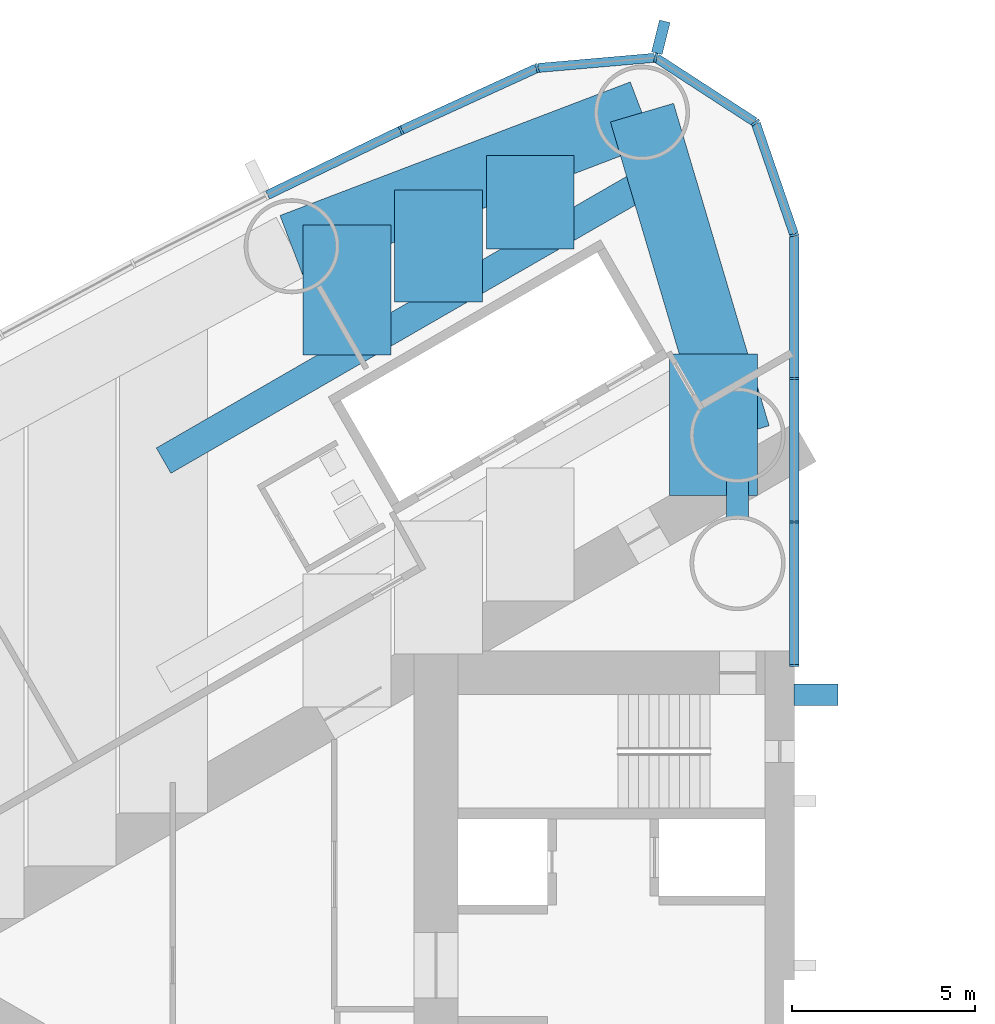
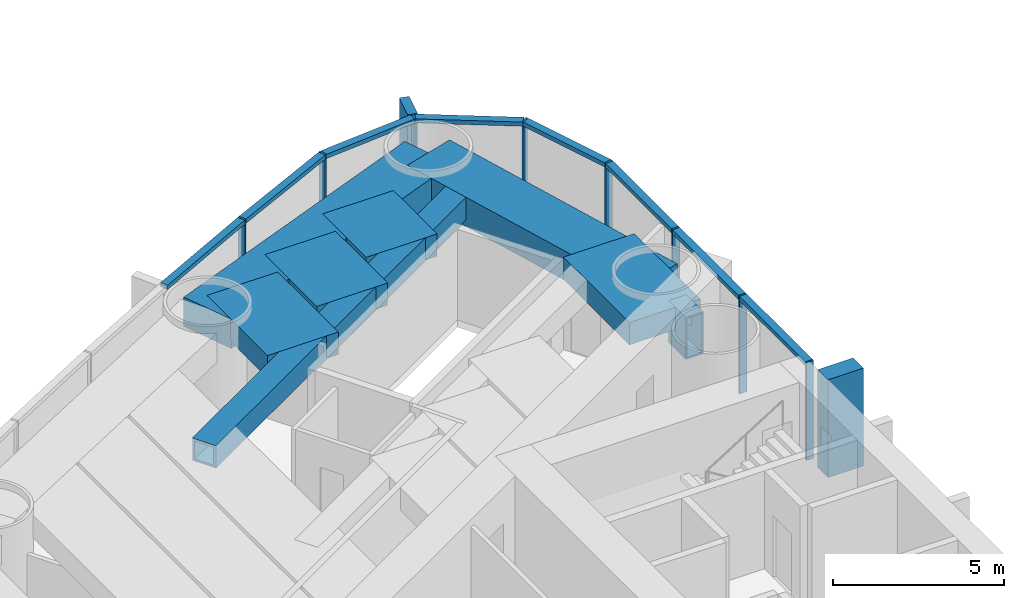
# One storey, part 5 of 19: 18 members, 8 beams, 1 element without a shape of its own.
"""IFC4 building model written with IfcOpenShell, lengths in metres."""

import ifcopenshell
import ifcopenshell.guid

model = None  # the IFC model being written
_history = None  # IfcOwnerHistory: only IFC2X3 demands one
_inside = {}  # id of a spatial element -> (the spatial element, [elements in it])
_under = {}  # id of a project, library or spatial element -> (it, [spatial elements below it])
_declared = {}  # id of a project -> (the project, [libraries it declares])
_typed = {}  # id of a type object -> (the type object, [elements of that type])
_made_of = {}  # id of a material, layer set ... -> (it, [elements and type objects made of it])


def new_model(schema):
    """Start an empty IFC model of exactly this schema.

    Asked for "IFC4X3", IfcOpenShell would pick the latest addendum, in which some entities
    have other attributes; the version numbers below select the first issue.
    IFC2X3 requires an IfcOwnerHistory on every rooted entity: one is made here for all.
    """
    global model, _history
    if schema == "IFC4X3":
        model = ifcopenshell.file(schema_version=(4, 3, 0, 0))
    else:
        model = ifcopenshell.file(schema=schema)
    _inside.clear()
    _under.clear()
    _declared.clear()
    _typed.clear()
    _made_of.clear()
    _history = None
    if model.schema == "IFC2X3":
        org = make("IfcOrganization", Name="unknown")
        user = make(
            "IfcPersonAndOrganization",
            ThePerson=make("IfcPerson", FamilyName="unknown"),
            TheOrganization=org,
        )
        app = make(
            "IfcApplication",
            ApplicationDeveloper=org,
            Version="unknown",
            ApplicationFullName="unknown",
            ApplicationIdentifier="unknown",
        )
        _history = make(
            "IfcOwnerHistory",
            OwningUser=user,
            OwningApplication=app,
            ChangeAction="ADDED",
            CreationDate=0,
        )
    return model


def make(cls, **values):
    """One entity of the class cls with the attributes given. An attribute that is None is left unset."""
    return model.create_entity(
        cls, **{name: value for name, value in values.items() if value is not None}
    )


def rooted(cls, **values):
    """An entity with a GlobalId (a new one), such as an element, a storey or a relation."""
    return make(cls, GlobalId=ifcopenshell.guid.new(), OwnerHistory=_history, **values)


def si_unit(unit_type, name, prefix=None):
    """IfcSIUnit, for example si_unit("LENGTHUNIT", "METRE", prefix="MILLI")."""
    return make("IfcSIUnit", UnitType=unit_type, Prefix=prefix, Name=name)


def assignment(units):
    """IfcUnitAssignment: the units of a project."""
    return None if units is None else make("IfcUnitAssignment", Units=units)


def point(xyz):
    """IfcCartesianPoint."""
    return None if xyz is None else make("IfcCartesianPoint", Coordinates=xyz)


def direction(xyz):
    """IfcDirection."""
    return None if xyz is None else make("IfcDirection", DirectionRatios=xyz)


def frame(location, z_axis=None, x_axis=None):
    """IfcAxis2Placement3D, a coordinate frame: its origin and axes. An axis left out is left unset."""
    return make(
        "IfcAxis2Placement3D",
        Location=point(location),
        Axis=direction(z_axis),
        RefDirection=direction(x_axis),
    )


def frame_2d(location, x_axis=None):
    """IfcAxis2Placement2D, a coordinate frame in the plane: its origin and x axis."""
    return make(
        "IfcAxis2Placement2D", Location=point(location), RefDirection=direction(x_axis)
    )


def origin():
    """The frame at (0, 0, 0) with its axes left unset."""
    return frame((0.0, 0.0, 0.0))


def origin_2d():
    """The frame at (0, 0) in the plane with its x axis left unset."""
    return frame_2d((0.0, 0.0))


def place(relative_to, where):
    """IfcLocalPlacement: puts the frame where relative to a parent placement (None: the world)."""
    return make(
        "IfcLocalPlacement", PlacementRelTo=relative_to, RelativePlacement=where
    )


def context(
    kind, dimensions, precision=None, world=None, true_north=None, identifier=None
):
    """IfcGeometricRepresentationContext, for example the 3D "Model" context."""
    return make(
        "IfcGeometricRepresentationContext",
        ContextIdentifier=identifier,
        ContextType=kind,
        CoordinateSpaceDimension=dimensions,
        Precision=precision,
        WorldCoordinateSystem=world,
        TrueNorth=true_north,
    )


def subcontext(parent, identifier, kind, view, scale=None):
    """IfcGeometricRepresentationSubContext, for example "Body" below "Model"."""
    return make(
        "IfcGeometricRepresentationSubContext",
        ContextIdentifier=identifier,
        ContextType=kind,
        ParentContext=parent,
        TargetScale=scale,
        TargetView=view,
    )


def project(units=None, contexts=None):
    """IfcProject with its units and contexts."""
    return rooted(
        "IfcProject",
        Name="project",
        RepresentationContexts=contexts,
        UnitsInContext=assignment(units),
    )


def spatial(cls, under=None, at=None, **own):
    """A site, building, storey or space (cls), placed at a placement, below another one or the project."""
    s = rooted(cls, ObjectPlacement=at, **own)
    if under is not None:
        _under.setdefault(under.id(), (under, []))[1].append(s)
    return s


def profile(cls, at=None, kind="AREA", **sizes):
    """A parametric profile (cls). Its sizes go by their IFC names, for example OverallWidth=200.0."""
    return make(cls, ProfileType=kind, Position=at, **sizes)


def rectangle(**sizes):
    """IfcRectangleProfileDef."""
    return profile("IfcRectangleProfileDef", **sizes)


def hollow_rectangle(**sizes):
    """IfcRectangleHollowProfileDef."""
    return profile("IfcRectangleHollowProfileDef", **sizes)


def extrude(swept, where, along, depth):
    """IfcExtrudedAreaSolid: the profile swept, set in the frame where, extruded along a direction by depth."""
    return make(
        "IfcExtrudedAreaSolid",
        SweptArea=swept,
        Position=where,
        ExtrudedDirection=direction(along),
        Depth=depth,
    )


def shape(context_of_items, identifier, shape_type, items):
    """IfcShapeRepresentation: the items that make up one representation, for example the "Body"."""
    return make(
        "IfcShapeRepresentation",
        ContextOfItems=context_of_items,
        RepresentationIdentifier=identifier,
        RepresentationType=shape_type,
        Items=items,
    )


def material(Name=None, Category=None):
    """IfcMaterial."""
    return make("IfcMaterial", Name=Name, Category=Category)


def material_profile(
    of_material, cross_section, Name=None, Category=None, Priority=None
):
    """IfcMaterialProfile: a cross section and its material."""
    return make(
        "IfcMaterialProfile",
        Name=Name,
        Material=of_material,
        Profile=cross_section,
        Priority=Priority,
        Category=Category,
    )


def profile_set(profiles, Name=None, composite=None):
    """IfcMaterialProfileSet."""
    return make(
        "IfcMaterialProfileSet",
        Name=Name,
        MaterialProfiles=profiles,
        CompositeProfile=composite,
    )


def made_of(thing, what):
    """Note that an element or type object is made of a material, layer set ...; save() writes the relation."""
    if what is not None:
        _made_of.setdefault(what.id(), (what, []))[1].append(thing)
    return thing


def type_object(cls, material=None, **own):
    """A type object (cls), such as IfcWallType, which elements share."""
    return made_of(rooted(cls, **own), material)


def element(
    cls,
    number,
    at=None,
    inside=None,
    cuts=None,
    type_object=None,
    material=None,
    context=None,
    identifier="Body",
    shape_type=None,
    held_by="IfcProductDefinitionShape",
    body=None,
    shapes=None,
    **own,
):
    """One element of the class cls, such as IfcWall. Its Tag is "e" and its number.

    at: its placement. inside: the storey or other place that contains it. cuts: it is an
    opening in that element (IfcRelVoidsElement). A single representation is given by context,
    identifier, shape_type and body (its items); several are given by shapes. held_by: the class
    of the entity that holds the representations. save() writes the other relations.
    """
    e = rooted(cls, Tag="e%d" % number, ObjectPlacement=at, **own)
    if body is not None:
        shapes = [shape(context, identifier, shape_type, body)]
    if shapes is not None:
        e.Representation = make(held_by, Representations=shapes)
    if inside is not None:
        _inside.setdefault(inside.id(), (inside, []))[1].append(e)
    if cuts is not None:
        rooted(
            "IfcRelVoidsElement", RelatingBuildingElement=cuts, RelatedOpeningElement=e
        )
    if type_object is not None:
        _typed.setdefault(type_object.id(), (type_object, []))[1].append(e)
    return made_of(e, material)


def aggregate(whole, parts):
    """IfcRelAggregates: a whole, such as a stair, and the parts it consists of."""
    return rooted("IfcRelAggregates", RelatingObject=whole, RelatedObjects=parts)


def save(model, path):
    """Write the relations noted so far, then the file.

    IfcRelAggregates (storeys below a building ...), IfcRelContainedInSpatialStructure (elements
    in a storey), IfcRelDefinesByType, IfcRelAssociatesMaterial and IfcRelDeclares: one each for
    every whole, place, type object, material and project.
    """
    for whole, parts in _under.values():
        aggregate(whole, parts)
    for where, things in _inside.values():
        rooted(
            "IfcRelContainedInSpatialStructure",
            RelatedElements=things,
            RelatingStructure=where,
        )
    for kind, things in _typed.values():
        rooted("IfcRelDefinesByType", RelatedObjects=things, RelatingType=kind)
    for what, things in _made_of.values():
        rooted("IfcRelAssociatesMaterial", RelatedObjects=things, RelatingMaterial=what)
    for by, libraries in _declared.values():
        rooted("IfcRelDeclares", RelatingContext=by, RelatedDefinitions=libraries)
    model.write(path)


model = new_model("IFC4")

# Units and contexts
model_context = context("Model", 3, precision=1e-05, world=origin(), true_north=direction((0.0, 1.0)))
body_context = subcontext(model_context, "Body", "Model", "MODEL_VIEW")
ifc_project = project(units=[si_unit("LENGTHUNIT", "METRE"), si_unit("AREAUNIT", "SQUARE_METRE"), si_unit("VOLUMEUNIT", "CUBIC_METRE"), si_unit("PLANEANGLEUNIT", "RADIAN"), si_unit("MASSUNIT", "GRAM", prefix="KILO")], contexts=[model_context])

# Site, building, storey
site_placement = place(None, origin())
site = spatial("IfcSite", under=ifc_project, at=site_placement, CompositionType="ELEMENT")
building_placement = place(site_placement, origin())
building = spatial("IfcBuilding", under=site, at=building_placement, Name="Lancet Gate Hotel", CompositionType="ELEMENT")
storey_placement = place(building_placement, frame((0.0, 0.0, 132.60009765625)))
storey = spatial("IfcBuildingStorey", under=building, at=storey_placement, Name="L35", CompositionType="ELEMENT", Elevation=132.60009765625)

# Curtain wall, members
ifc_material_1 = material(Name="Aluminium curtain wall", Category="aluminium")
curtain_wall_type = type_object("IfcCurtainWallType", Name="Tower unitised curtain wall", PredefinedType="USERDEFINED", material=ifc_material_1)
curtain_wall_placement = place(storey_placement, origin())
curtain_wall = element("IfcCurtainWall", 1, at=curtain_wall_placement, inside=storey, type_object=curtain_wall_type, Name="T1 L35 curtain wall 1", ObjectType="UNITISED CURTAIN WALL", PredefinedType="USERDEFINED")
ifc_material_2 = material(Name="Aluminium mullion", Category="aluminium")
ifc_material_profile_1 = material_profile(ifc_material_2, rectangle(XDim=0.06494140625, YDim=0.25, at=origin_2d()), Name="MULLION 65x250")
ifc_profile_set_1 = profile_set([ifc_material_profile_1], Name="Aluminium mullion")
member_type_1 = type_object("IfcMemberType", Name="Aluminium mullion 65x250", PredefinedType="MULLION", material=ifc_profile_set_1)
member_1_placement = place(storey_placement, frame((-27.5, 8.199951171875, 0.0), z_axis=(0.0, 0.0, 1.0), x_axis=(0.0, 1.0, 0.0)))
member_1 = element("IfcMember", 2, at=member_1_placement, type_object=member_type_1, Name="T1 L35 curtain wall 1 mullion 1", PredefinedType="MULLION", context=body_context, shape_type="SweptSolid", body=[
    extrude(rectangle(XDim=0.06494140625, YDim=0.25, at=origin_2d()), origin(), (0.0, 0.0, 1.0), 3.5),
])
member_2_placement = place(storey_placement, frame((-27.5, 12.123779296875, 0.0), z_axis=(0.0, 0.0, 1.0), x_axis=(0.0, 1.0, 0.0)))
member_2 = element("IfcMember", 3, at=member_2_placement, type_object=member_type_1, Name="T1 L35 curtain wall 1 mullion 2", PredefinedType="MULLION", context=body_context, shape_type="SweptSolid", body=[
    extrude(rectangle(XDim=0.06494140625, YDim=0.25, at=origin_2d()), origin(), (0.0, 0.0, 1.0), 3.5),
])
member_3_placement = place(storey_placement, frame((-27.5, 16.04736328125, 0.0), z_axis=(0.0, 0.0, 1.0), x_axis=(0.0, 1.0, 0.0)))
member_3 = element("IfcMember", 4, at=member_3_placement, type_object=member_type_1, Name="T1 L35 curtain wall 1 mullion 3", PredefinedType="MULLION", context=body_context, shape_type="SweptSolid", body=[
    extrude(rectangle(XDim=0.06494140625, YDim=0.25, at=origin_2d()), origin(), (0.0, 0.0, 1.0), 3.5),
])
member_4_placement = place(storey_placement, frame((-27.5, 19.97119140625, 0.0), z_axis=(0.0, 0.0, 1.0), x_axis=(-0.149634446211, 0.988741388082, 0.0)))
member_4 = element("IfcMember", 5, at=member_4_placement, type_object=member_type_1, Name="T1 L35 curtain wall 1 mullion 4", PredefinedType="MULLION", context=body_context, shape_type="SweptSolid", body=[
    extrude(rectangle(XDim=0.06494140625, YDim=0.25, at=origin_2d()), origin(), (0.0, 0.0, 1.0), 3.5),
])
member_5_placement = place(storey_placement, frame((-28.5595703125, 23.049072265625, 0.0), z_axis=(0.0, 0.0, 1.0), x_axis=(-0.615574240878, 0.788078900851, 0.0)))
member_5 = element("IfcMember", 6, at=member_5_placement, type_object=member_type_1, Name="T1 L35 curtain wall 1 mullion 5", PredefinedType="MULLION", context=body_context, shape_type="SweptSolid", body=[
    extrude(rectangle(XDim=0.06494140625, YDim=0.25, at=origin_2d()), origin(), (0.0, 0.0, 1.0), 3.5),
])
member_6_placement = place(storey_placement, frame((-31.289306640625, 24.822265625, 0.0), z_axis=(0.0, 0.0, 1.0), x_axis=(-0.970242142288, 0.242136707934, 0.0)))
member_6 = element("IfcMember", 7, at=member_6_placement, type_object=member_type_1, Name="T1 L35 curtain wall 1 mullion 6", PredefinedType="MULLION", context=body_context, shape_type="SweptSolid", body=[
    extrude(rectangle(XDim=0.06494140625, YDim=0.25, at=origin_2d()), origin(), (0.0, 0.0, 1.0), 3.5),
])
member_7_placement = place(storey_placement, frame((-34.5322265625, 24.53955078125, 0.0), z_axis=(0.0, 0.0, 1.0), x_axis=(-0.961653318232, -0.27426792655, 0.0)))
member_7 = element("IfcMember", 8, at=member_7_placement, type_object=member_type_1, Name="T1 L35 curtain wall 1 mullion 7", PredefinedType="MULLION", context=body_context, shape_type="SweptSolid", body=[
    extrude(rectangle(XDim=0.06494140625, YDim=0.25, at=origin_2d()), origin(), (0.0, 0.0, 1.0), 3.5),
])
member_8_placement = place(storey_placement, frame((-38.25244140625, 22.83642578125, 0.0), z_axis=(0.0, 0.0, 1.0), x_axis=(-0.904719609771, -0.426007544178, 0.0)))
member_8 = element("IfcMember", 9, at=member_8_placement, type_object=member_type_1, Name="T1 L35 curtain wall 1 mullion 8", PredefinedType="MULLION", context=body_context, shape_type="SweptSolid", body=[
    extrude(rectangle(XDim=0.06494140625, YDim=0.25, at=origin_2d()), origin(), (0.0, 0.0, 1.0), 3.5),
])
ifc_material_3 = material(Name="Aluminium transom", Category="aluminium")
ifc_material_profile_2 = material_profile(ifc_material_3, rectangle(XDim=0.25, YDim=0.14990234375, at=origin_2d()), Name="TRANSOM 250x150")
ifc_profile_set_2 = profile_set([ifc_material_profile_2], Name="Aluminium transom")
member_type_2 = type_object("IfcMemberType", Name="Aluminium transom 250x150", PredefinedType="USERDEFINED", material=ifc_profile_set_2)
member_9_placement = place(storey_placement, frame((-27.5, 8.232421875, 3.4248046875), z_axis=(0.0, 1.0, 0.0), x_axis=(-1.0, 0.0, 0.0)))
member_9 = element("IfcMember", 10, at=member_9_placement, type_object=member_type_2, Name="T1 L35 curtain wall 1 transom 1", ObjectType="TRANSOM", PredefinedType="USERDEFINED", context=body_context, shape_type="SweptSolid", body=[
    extrude(rectangle(XDim=0.25, YDim=0.14990234375, at=origin_2d()), origin(), (0.0, 0.0, 1.0), 3.85888671875),
])
member_10_placement = place(storey_placement, frame((-27.5, 12.15625, 3.4248046875), z_axis=(0.0, 1.0, 0.0), x_axis=(-1.0, 0.0, 0.0)))
member_10 = element("IfcMember", 11, at=member_10_placement, type_object=member_type_2, Name="T1 L35 curtain wall 1 transom 2", ObjectType="TRANSOM", PredefinedType="USERDEFINED", context=body_context, shape_type="SweptSolid", body=[
    extrude(rectangle(XDim=0.25, YDim=0.14990234375, at=origin_2d()), origin(), (0.0, 0.0, 1.0), 3.858642578125),
])
member_11_placement = place(storey_placement, frame((-27.5, 16.079833984375, 3.4248046875), z_axis=(0.0, 1.0, 0.0), x_axis=(-1.0, 0.0, 0.0)))
member_11 = element("IfcMember", 12, at=member_11_placement, type_object=member_type_2, Name="T1 L35 curtain wall 1 transom 3", ObjectType="TRANSOM", PredefinedType="USERDEFINED", context=body_context, shape_type="SweptSolid", body=[
    extrude(rectangle(XDim=0.25, YDim=0.14990234375, at=origin_2d()), origin(), (0.0, 0.0, 1.0), 3.858642578125),
])
member_12_placement = place(storey_placement, frame((-27.510498046875, 20.001708984375, 3.4248046875), z_axis=(-0.32553312754, 0.945530635609, 0.0), x_axis=(-0.945530635609, -0.32553312754, 0.0)))
member_12 = element("IfcMember", 13, at=member_12_placement, type_object=member_type_2, Name="T1 L35 curtain wall 1 transom 4", ObjectType="TRANSOM", PredefinedType="USERDEFINED", context=body_context, shape_type="SweptSolid", body=[
    extrude(rectangle(XDim=0.25, YDim=0.14990234375, at=origin_2d()), origin(), (0.0, 0.0, 1.0), 3.1904296875),
])
member_13_placement = place(storey_placement, frame((-28.5869140625, 23.066650390625, 3.4248046875), z_axis=(-0.838550259452, 0.544824249068, 0.0), x_axis=(-0.544824249068, -0.838550259452, 0.0)))
member_13 = element("IfcMember", 14, at=member_13_placement, type_object=member_type_2, Name="T1 L35 curtain wall 1 transom 5", ObjectType="TRANSOM", PredefinedType="USERDEFINED", context=body_context, shape_type="SweptSolid", body=[
    extrude(rectangle(XDim=0.25, YDim=0.14990234375, at=origin_2d()), origin(), (0.0, 0.0, 1.0), 3.190185546875),
])
member_14_placement = place(storey_placement, frame((-31.32177734375, 24.819580078125, 3.4248046875), z_axis=(-0.996213545522, -0.086940046686, 0.0), x_axis=(0.086940046686, -0.996213545522, 0.0)))
member_14 = element("IfcMember", 15, at=member_14_placement, type_object=member_type_2, Name="T1 L35 curtain wall 1 transom 6", ObjectType="TRANSOM", PredefinedType="USERDEFINED", context=body_context, shape_type="SweptSolid", body=[
    extrude(rectangle(XDim=0.25, YDim=0.14990234375, at=origin_2d()), origin(), (0.0, 0.0, 1.0), 3.18994140625),
])
member_15_placement = place(storey_placement, frame((-34.561767578125, 24.52587890625, 3.4248046875), z_axis=(-0.909252284196, -0.416245460857, 0.0), x_axis=(0.416245460857, -0.909252284196, 0.0)))
member_15 = element("IfcMember", 16, at=member_15_placement, type_object=member_type_2, Name="T1 L35 curtain wall 1 transom 7", ObjectType="TRANSOM", PredefinedType="USERDEFINED", context=body_context, shape_type="SweptSolid", body=[
    extrude(rectangle(XDim=0.25, YDim=0.14990234375, at=origin_2d()), origin(), (0.0, 0.0, 1.0), 4.026611328125),
])
member_16_placement = place(storey_placement, frame((-38.28173828125, 22.822265625, 3.4248046875), z_axis=(-0.900065677074, -0.435754262117, 0.0), x_axis=(0.435754262117, -0.900065677074, 0.0)))
member_16 = element("IfcMember", 17, at=member_16_placement, type_object=member_type_2, Name="T1 L35 curtain wall 1 transom 8", ObjectType="TRANSOM", PredefinedType="USERDEFINED", context=body_context, shape_type="SweptSolid", body=[
    extrude(rectangle(XDim=0.25, YDim=0.14990234375, at=origin_2d()), origin(), (0.0, 0.0, 1.0), 4.026611328125),
])

# Beams
ifc_material_4 = material(Name="Concrete C50/60", Category="concrete")
ifc_material_profile_3 = material_profile(ifc_material_4, rectangle(XDim=1.800048828125, YDim=1.050048828125, at=origin_2d()), Name="RC 1800x1050")
ifc_profile_set_3 = profile_set([ifc_material_profile_3], Name="Concrete C50/60")
beam_type_1 = type_object("IfcBeamType", Name="Edge beam RC 1800x1050", PredefinedType="SPANDREL", material=ifc_profile_set_3)
beam_1_placement = place(storey_placement, frame((-31.66455078125, 23.318359375, 2.724853515625), z_axis=(-0.934392266213, -0.356245832033, 0.0), x_axis=(0.356245832033, -0.934392266213, 0.0)))
element("IfcBeam", 18, at=beam_1_placement, inside=storey, type_object=beam_type_1, Name="T1 edge beam EB1 L35", PredefinedType="SPANDREL", context=body_context, shape_type="SweptSolid", body=[
    extrude(rectangle(XDim=1.800048828125, YDim=1.050048828125, at=origin_2d()), origin(), (0.0, 0.0, 1.0), 10.2529296875),
])
beam_2_placement = place(storey_placement, frame((-31.66455078125, 23.318359375, 2.724853515625), z_axis=(0.284253711522, -0.958749095168, 0.0), x_axis=(0.958749095168, 0.284253711522, 0.0)))
element("IfcBeam", 19, at=beam_2_placement, inside=storey, type_object=beam_type_1, Name="T1 edge beam EB1 L35", PredefinedType="SPANDREL", context=body_context, shape_type="SweptSolid", body=[
    extrude(rectangle(XDim=1.800048828125, YDim=1.050048828125, at=origin_2d()), origin(), (0.0, 0.0, 1.0), 9.19775390625),
])

# Member
ifc_material_5 = material(Name="Concrete C60/75", Category="concrete")
ifc_material_profile_4 = material_profile(ifc_material_5, rectangle(XDim=0.60009765625, YDim=1.199951171875, at=origin_2d()), Name="FIN 600x1200")
ifc_profile_set_4 = profile_set([ifc_material_profile_4], Name="Concrete C60/75")
member_type_3 = type_object("IfcMemberType", Name="Exposed concrete buttress pilaster 600x1200", PredefinedType="USERDEFINED", material=ifc_profile_set_4)
member_17_placement = place(storey_placement, frame((-26.909912109375, 7.39990234375, 0.0), z_axis=(0.0, 0.0, 1.0), x_axis=(0.0, 1.0, 0.0)))
element("IfcMember", 20, at=member_17_placement, inside=storey, type_object=member_type_3, Name="T1 buttress pilaster S L35", ObjectType="FIN", PredefinedType="USERDEFINED", context=body_context, shape_type="SweptSolid", body=[
    extrude(rectangle(XDim=0.60009765625, YDim=1.199951171875, at=origin_2d()), origin(), (0.0, 0.0, 1.0), 3.5),
])

ifc_material_6 = material(Name="Precast concrete C50/60", Category="concrete")
ifc_material_profile_5 = material_profile(ifc_material_6, rectangle(XDim=0.300048828125, YDim=0.89990234375, at=origin_2d()), Name="FIN 300x900")
ifc_profile_set_5 = profile_set([ifc_material_profile_5], Name="Precast concrete C50/60")
member_type_4 = type_object("IfcMemberType", Name="Exposed concrete fin 300x900", PredefinedType="USERDEFINED", material=ifc_profile_set_5)
member_18_placement = place(storey_placement, frame((-31.150146484375, 25.380126953125, 0.0), z_axis=(0.0, 0.0, 1.0), x_axis=(-0.970242142288, 0.242136707934, 0.0)))
member_18 = element("IfcMember", 21, at=member_18_placement, type_object=member_type_4, Name="T1 L35 curtain wall 1 fin 6", ObjectType="FIN", PredefinedType="USERDEFINED", context=body_context, shape_type="SweptSolid", body=[
    extrude(rectangle(XDim=0.300048828125, YDim=0.89990234375, at=origin_2d()), origin(), (0.0, 0.0, 1.0), 3.5),
])

aggregate(curtain_wall, [member_1, member_2, member_3, member_4, member_5, member_6, member_18, member_7, member_8, member_9, member_10, member_11, member_12, member_13, member_14, member_15, member_16])

# Beams
ifc_material_7 = material(Name="Concrete C50/60", Category="concrete")
ifc_material_profile_6 = material_profile(ifc_material_7, rectangle(XDim=2.39990234375, YDim=0.800048828125, at=origin_2d()), Name="RC 2400x800")
ifc_profile_set_6 = profile_set([ifc_material_profile_6], Name="Concrete C50/60")
beam_type_2 = type_object("IfcBeamType", Name="Floor beam RC 2400x800", PredefinedType="BEAM", material=ifc_profile_set_6)
beam_3_placement = place(storey_placement, frame((-29.706787109375, 16.71533203125, 2.849853515625), z_axis=(0.0, -1.0, 0.0), x_axis=(1.0, 0.0, 0.0)))
element("IfcBeam", 22, at=beam_3_placement, inside=storey, type_object=beam_type_2, Name="T1 floor beam F02S L35", PredefinedType="BEAM", context=body_context, shape_type="SweptSolid", body=[
    extrude(rectangle(XDim=2.39990234375, YDim=0.800048828125, at=origin_2d()), origin(), (0.0, 0.0, 1.0), 3.86279296875),
])
beam_4_placement = place(storey_placement, frame((-34.720458984375, 22.1533203125, 2.849853515625), z_axis=(0.0, -1.0, 0.0), x_axis=(1.0, 0.0, 0.0)))
element("IfcBeam", 23, at=beam_4_placement, inside=storey, type_object=beam_type_2, Name="T1 floor beam F04SA L35", PredefinedType="BEAM", context=body_context, shape_type="SweptSolid", body=[
    extrude(rectangle(XDim=2.39990234375, YDim=0.800048828125, at=origin_2d()), origin(), (0.0, 0.0, 1.0), 2.561767578125),
])
beam_5_placement = place(storey_placement, frame((-37.227294921875, 21.197509765625, 2.849853515625), z_axis=(0.0, -1.0, 0.0), x_axis=(1.0, 0.0, 0.0)))
element("IfcBeam", 24, at=beam_5_placement, inside=storey, type_object=beam_type_2, Name="T1 floor beam F05SA L35", PredefinedType="BEAM", context=body_context, shape_type="SweptSolid", body=[
    extrude(rectangle(XDim=2.39990234375, YDim=0.800048828125, at=origin_2d()), origin(), (0.0, 0.0, 1.0), 3.053466796875),
])
beam_6_placement = place(storey_placement, frame((-39.734130859375, 20.24169921875, 2.849853515625), z_axis=(0.0, -1.0, 0.0), x_axis=(1.0, 0.0, 0.0)))
element("IfcBeam", 25, at=beam_6_placement, inside=storey, type_object=beam_type_2, Name="T1 floor beam F07SA L35", PredefinedType="BEAM", context=body_context, shape_type="SweptSolid", body=[
    extrude(rectangle(XDim=2.39990234375, YDim=0.800048828125, at=origin_2d()), origin(), (0.0, 0.0, 1.0), 3.545166015625),
])
ifc_material_8 = material(Name="Steel S460QL", Category="steel")
ifc_material_profile_7 = material_profile(ifc_material_8, hollow_rectangle(XDim=0.60009765625, YDim=1.5, WallThickness=0.050048828125, at=origin_2d()), Name="BOX 1500x600x50")
ifc_profile_set_7 = profile_set([ifc_material_profile_7], Name="Steel S460QL")
beam_type_3 = type_object("IfcBeamType", Name="Inner-face link beam BOX 1500x600x50", PredefinedType="BEAM", material=ifc_profile_set_7)
beam_7_placement = place(storey_placement, frame((-29.050048828125, 13.25, 2.5), z_axis=(0.0, -1.0, 0.0), x_axis=(1.0, 0.0, 0.0)))
element("IfcBeam", 26, at=beam_7_placement, inside=storey, type_object=beam_type_3, Name="T1 inner-face link beam LK1 L35", PredefinedType="BEAM", context=body_context, shape_type="SweptSolid", body=[
    extrude(hollow_rectangle(XDim=0.60009765625, YDim=1.5, WallThickness=0.050048828125, at=origin_2d()), origin(), (0.0, 0.0, 1.0), 1.0),
])
ifc_material_9 = material(Name="Steel S460QL", Category="steel")
ifc_material_profile_8 = material_profile(ifc_material_9, hollow_rectangle(XDim=0.800048828125, YDim=0.800048828125, WallThickness=0.080078125, at=origin_2d()), Name="BOX 800x800x80")
ifc_profile_set_8 = profile_set([ifc_material_profile_8], Name="Steel S460QL")
beam_type_4 = type_object("IfcBeamType", Name="Trimmer beam BOX 800x800x80", PredefinedType="BEAM", material=ifc_profile_set_8)
beam_8_placement = place(storey_placement, frame((-31.16796875, 21.642822265625, 2.849853515625), z_axis=(-0.866004868127, -0.500035567115, 0.0), x_axis=(0.500035567115, -0.866004868127, 0.0)))
element("IfcBeam", 27, at=beam_8_placement, inside=storey, type_object=beam_type_4, Name="T1 trimmer beam TR04S L35", PredefinedType="BEAM", context=body_context, shape_type="SweptSolid", body=[
    extrude(hollow_rectangle(XDim=0.800048828125, YDim=0.800048828125, WallThickness=0.080078125, at=origin_2d()), origin(), (0.0, 0.0, 1.0), 15.680908203125),
])

save(model, "model.ifc")
